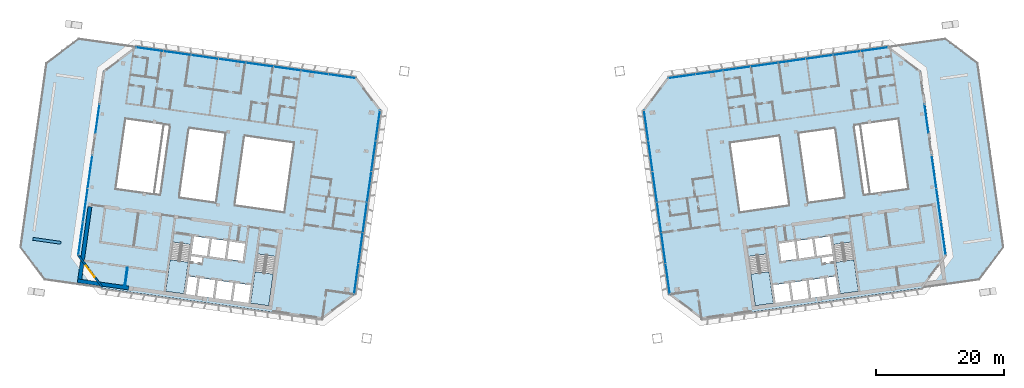
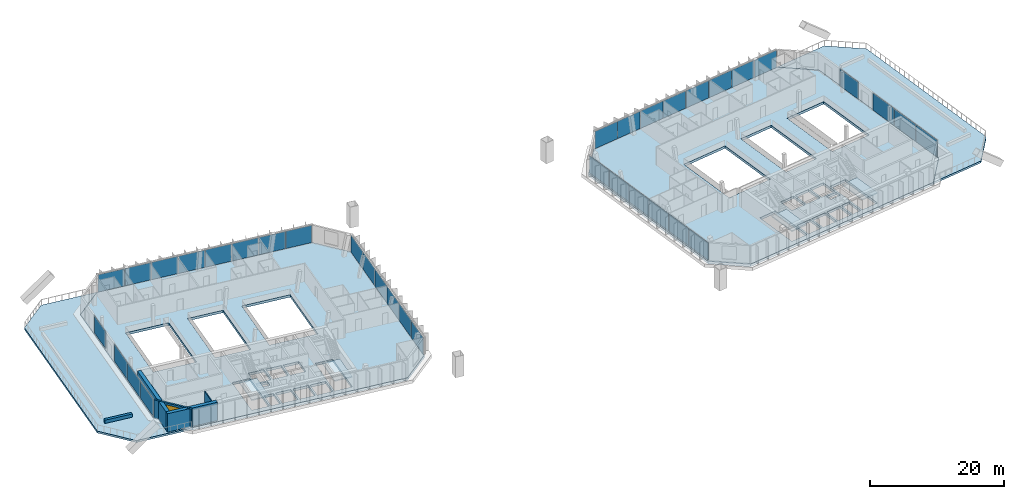
# One storey, part 9 of 19: 36 plates, 8 slabs, 5 walls, 1 window, 1 opening, 12 elements without a shape of their own.
"""IFC4 building model written with IfcOpenShell, lengths in metres."""

from ifc_helpers import new_model, si_unit, direction, frame, frame_2d, origin, origin_2d, place, context, subcontext, project, spatial, polyline, rectangle, outline, extrude, material, layer, layer_set, type_object, element, fill, aggregate, save


model = new_model("IFC4")

# Units and contexts
model_context = context("Model", 3, precision=1e-05, world=origin(), true_north=direction((0.0, 1.0)))
body_context = subcontext(model_context, "Body", "Model", "MODEL_VIEW")
ifc_project = project(units=[si_unit("LENGTHUNIT", "METRE"), si_unit("AREAUNIT", "SQUARE_METRE"), si_unit("VOLUMEUNIT", "CUBIC_METRE"), si_unit("PLANEANGLEUNIT", "RADIAN"), si_unit("MASSUNIT", "GRAM", prefix="KILO")], contexts=[model_context])

# Site, building, storey
site_placement = place(None, origin())
site = spatial("IfcSite", under=ifc_project, at=site_placement, CompositionType="ELEMENT")
building_placement = place(site_placement, origin())
building = spatial("IfcBuilding", under=site, at=building_placement, Name="Mirante Cascada Hotel Towers", CompositionType="ELEMENT")
storey_placement = place(building_placement, frame((0.0, 0.0, 231.8)))
storey = spatial("IfcBuildingStorey", under=building, at=storey_placement, Name="L55", CompositionType="ELEMENT", Elevation=231.8)

# Curtain wall, plates
ifc_material_1 = material(Name="Aluminium mullion and transom frame with clear laminated glass", Category="aluminium")
curtain_wall_type_1 = type_object("IfcCurtainWallType", Name="Ribbon curtain wall ECW1", PredefinedType="NOTDEFINED", material=ifc_material_1)
curtain_wall_1_placement = place(storey_placement, origin())
curtain_wall_1 = element("IfcCurtainWall", 1, at=curtain_wall_1_placement, inside=storey, type_object=curtain_wall_type_1, Name="Front ribbon wall T1 L55", PredefinedType="NOTDEFINED")
ifc_material_2 = material(Name="Clear laminated glass", Category="glass")
ifc_layer_1 = layer(ifc_material_2, 0.036)
ifc_layer_set_1 = layer_set([ifc_layer_1], Name="ECW1 glass panel 36")
plate_type_1 = type_object("IfcPlateType", Name="ECW1 glass panel 36", PredefinedType="CURTAIN_PANEL", material=ifc_layer_set_1)
plate_1_placement = place(storey_placement, frame((-56.355, 20.7392, 0.1), z_axis=(0.0, 0.0, 1.0), x_axis=(0.9902681, -0.1391731, 0.0)))
plate_1 = element("IfcPlate", 2, at=plate_1_placement, type_object=plate_type_1, Name="ECW1 panel 1", PredefinedType="CURTAIN_PANEL", context=body_context, shape_type="SweptSolid", body=[
    extrude(rectangle(XDim=4.2194, YDim=0.036, at=origin_2d()), origin(), (0.0, 0.0, 1.0), 3.15),
])
plate_2_placement = place(storey_placement, frame((-52.0961, 20.1407, 0.1), z_axis=(0.0, 0.0, 1.0), x_axis=(0.9902681, -0.1391731, 0.0)))
plate_2 = element("IfcPlate", 3, at=plate_2_placement, type_object=plate_type_1, Name="ECW1 panel 2", PredefinedType="CURTAIN_PANEL", context=body_context, shape_type="SweptSolid", body=[
    extrude(rectangle(XDim=4.2519, YDim=0.036, at=origin_2d()), origin(), (0.0, 0.0, 1.0), 3.15),
])
plate_3_placement = place(storey_placement, frame((-47.8212, 19.5399, 0.1), z_axis=(0.0, 0.0, 1.0), x_axis=(0.9902681, -0.1391731, 0.0)))
plate_3 = element("IfcPlate", 4, at=plate_3_placement, type_object=plate_type_1, Name="ECW1 panel 3", PredefinedType="CURTAIN_PANEL", context=body_context, shape_type="SweptSolid", body=[
    extrude(rectangle(XDim=4.2519, YDim=0.036, at=origin_2d()), origin(), (0.0, 0.0, 1.0), 3.15),
])
plate_4_placement = place(storey_placement, frame((-43.5463, 18.9391, 0.1), z_axis=(0.0, 0.0, 1.0), x_axis=(0.9902681, -0.1391731, 0.0)))
plate_4 = element("IfcPlate", 5, at=plate_4_placement, type_object=plate_type_1, Name="ECW1 panel 4", PredefinedType="CURTAIN_PANEL", context=body_context, shape_type="SweptSolid", body=[
    extrude(rectangle(XDim=4.2519, YDim=0.036, at=origin_2d()), origin(), (0.0, 0.0, 1.0), 3.15),
])
plate_5_placement = place(storey_placement, frame((-39.2714, 18.3383, 0.1), z_axis=(0.0, 0.0, 1.0), x_axis=(0.9902681, -0.1391731, 0.0)))
plate_5 = element("IfcPlate", 6, at=plate_5_placement, type_object=plate_type_1, Name="ECW1 panel 5", PredefinedType="CURTAIN_PANEL", context=body_context, shape_type="SweptSolid", body=[
    extrude(rectangle(XDim=4.2519, YDim=0.036, at=origin_2d()), origin(), (0.0, 0.0, 1.0), 3.15),
])
plate_6_placement = place(storey_placement, frame((-34.9965, 17.7375, 0.1), z_axis=(0.0, 0.0, 1.0), x_axis=(0.9902681, -0.1391731, 0.0)))
plate_6 = element("IfcPlate", 7, at=plate_6_placement, type_object=plate_type_1, Name="ECW1 panel 6", PredefinedType="CURTAIN_PANEL", context=body_context, shape_type="SweptSolid", body=[
    extrude(rectangle(XDim=4.2519, YDim=0.036, at=origin_2d()), origin(), (0.0, 0.0, 1.0), 3.15),
])
plate_7_placement = place(storey_placement, frame((-30.7216, 17.1367, 0.1), z_axis=(0.0, 0.0, 1.0), x_axis=(0.9902681, -0.1391731, 0.0)))
plate_7 = element("IfcPlate", 8, at=plate_7_placement, type_object=plate_type_1, Name="ECW1 panel 7", PredefinedType="CURTAIN_PANEL", context=body_context, shape_type="SweptSolid", body=[
    extrude(rectangle(XDim=4.2519, YDim=0.036, at=origin_2d()), origin(), (0.0, 0.0, 1.0), 3.15),
])
plate_8_placement = place(storey_placement, frame((-26.4627, 16.5381, 0.1), z_axis=(0.0, 0.0, 1.0), x_axis=(0.9902681, -0.1391731, 0.0)))
plate_8 = element("IfcPlate", 9, at=plate_8_placement, type_object=plate_type_1, Name="ECW1 panel 8", PredefinedType="CURTAIN_PANEL", context=body_context, shape_type="SweptSolid", body=[
    extrude(rectangle(XDim=4.2194, YDim=0.036, at=origin_2d()), origin(), (0.0, 0.0, 1.0), 3.15),
])
aggregate(curtain_wall_1, [plate_1, plate_2, plate_3, plate_4, plate_5, plate_6, plate_7, plate_8])

curtain_wall_2_placement = place(storey_placement, origin())
curtain_wall_2 = element("IfcCurtainWall", 10, at=curtain_wall_2_placement, inside=storey, type_object=curtain_wall_type_1, Name="Front ribbon wall T2 L55", PredefinedType="NOTDEFINED")
plate_9_placement = place(storey_placement, frame((56.355, 20.7392, 0.1), z_axis=(0.0, 0.0, 1.0), x_axis=(-0.9902681, -0.1391731, 0.0)))
plate_9 = element("IfcPlate", 11, at=plate_9_placement, type_object=plate_type_1, Name="ECW1 panel 1", PredefinedType="CURTAIN_PANEL", context=body_context, shape_type="SweptSolid", body=[
    extrude(rectangle(XDim=4.2194, YDim=0.036, at=origin_2d()), origin(), (0.0, 0.0, 1.0), 3.15),
])
plate_10_placement = place(storey_placement, frame((52.0961, 20.1407, 0.1), z_axis=(0.0, 0.0, 1.0), x_axis=(-0.9902681, -0.1391731, 0.0)))
plate_10 = element("IfcPlate", 12, at=plate_10_placement, type_object=plate_type_1, Name="ECW1 panel 2", PredefinedType="CURTAIN_PANEL", context=body_context, shape_type="SweptSolid", body=[
    extrude(rectangle(XDim=4.2519, YDim=0.036, at=origin_2d()), origin(), (0.0, 0.0, 1.0), 3.15),
])
plate_11_placement = place(storey_placement, frame((47.8212, 19.5399, 0.1), z_axis=(0.0, 0.0, 1.0), x_axis=(-0.9902681, -0.1391731, 0.0)))
plate_11 = element("IfcPlate", 13, at=plate_11_placement, type_object=plate_type_1, Name="ECW1 panel 3", PredefinedType="CURTAIN_PANEL", context=body_context, shape_type="SweptSolid", body=[
    extrude(rectangle(XDim=4.2519, YDim=0.036, at=origin_2d()), origin(), (0.0, 0.0, 1.0), 3.15),
])
plate_12_placement = place(storey_placement, frame((43.5463, 18.9391, 0.1), z_axis=(0.0, 0.0, 1.0), x_axis=(-0.9902681, -0.1391731, 0.0)))
plate_12 = element("IfcPlate", 14, at=plate_12_placement, type_object=plate_type_1, Name="ECW1 panel 4", PredefinedType="CURTAIN_PANEL", context=body_context, shape_type="SweptSolid", body=[
    extrude(rectangle(XDim=4.2519, YDim=0.036, at=origin_2d()), origin(), (0.0, 0.0, 1.0), 3.15),
])
plate_13_placement = place(storey_placement, frame((39.2714, 18.3383, 0.1), z_axis=(0.0, 0.0, 1.0), x_axis=(-0.9902681, -0.1391731, 0.0)))
plate_13 = element("IfcPlate", 15, at=plate_13_placement, type_object=plate_type_1, Name="ECW1 panel 5", PredefinedType="CURTAIN_PANEL", context=body_context, shape_type="SweptSolid", body=[
    extrude(rectangle(XDim=4.2519, YDim=0.036, at=origin_2d()), origin(), (0.0, 0.0, 1.0), 3.15),
])
plate_14_placement = place(storey_placement, frame((34.9965, 17.7375, 0.1), z_axis=(0.0, 0.0, 1.0), x_axis=(-0.9902681, -0.1391731, 0.0)))
plate_14 = element("IfcPlate", 16, at=plate_14_placement, type_object=plate_type_1, Name="ECW1 panel 6", PredefinedType="CURTAIN_PANEL", context=body_context, shape_type="SweptSolid", body=[
    extrude(rectangle(XDim=4.2519, YDim=0.036, at=origin_2d()), origin(), (0.0, 0.0, 1.0), 3.15),
])
plate_15_placement = place(storey_placement, frame((30.7216, 17.1367, 0.1), z_axis=(0.0, 0.0, 1.0), x_axis=(-0.9902681, -0.1391731, 0.0)))
plate_15 = element("IfcPlate", 17, at=plate_15_placement, type_object=plate_type_1, Name="ECW1 panel 7", PredefinedType="CURTAIN_PANEL", context=body_context, shape_type="SweptSolid", body=[
    extrude(rectangle(XDim=4.2519, YDim=0.036, at=origin_2d()), origin(), (0.0, 0.0, 1.0), 3.15),
])
plate_16_placement = place(storey_placement, frame((26.4627, 16.5381, 0.1), z_axis=(0.0, 0.0, 1.0), x_axis=(-0.9902681, -0.1391731, 0.0)))
plate_16 = element("IfcPlate", 18, at=plate_16_placement, type_object=plate_type_1, Name="ECW1 panel 8", PredefinedType="CURTAIN_PANEL", context=body_context, shape_type="SweptSolid", body=[
    extrude(rectangle(XDim=4.2194, YDim=0.036, at=origin_2d()), origin(), (0.0, 0.0, 1.0), 3.15),
])
aggregate(curtain_wall_2, [plate_9, plate_10, plate_11, plate_12, plate_13, plate_14, plate_15, plate_16])

ifc_material_3 = material(Name="Aluminium mullion and transom frame with clear laminated glass", Category="aluminium")
curtain_wall_type_2 = type_object("IfcCurtainWallType", Name="End ribbon curtain wall ECW2", PredefinedType="NOTDEFINED", material=ifc_material_3)
curtain_wall_3_placement = place(storey_placement, origin())
curtain_wall_3 = element("IfcCurtainWall", 19, at=curtain_wall_3_placement, inside=storey, type_object=curtain_wall_type_2, Name="Inner end wall T1 L55", PredefinedType="NOTDEFINED")
ifc_material_4 = material(Name="Clear laminated glass", Category="glass")
ifc_layer_2 = layer(ifc_material_4, 0.034)
ifc_layer_set_2 = layer_set([ifc_layer_2], Name="ECW2 glass panel 34")
plate_type_2 = type_object("IfcPlateType", Name="ECW2 glass panel 34", PredefinedType="CURTAIN_PANEL", material=ifc_layer_set_2)
plate_17_placement = place(storey_placement, frame((-20.8912, 8.8532, 0.1), z_axis=(0.0, 0.0, 1.0), x_axis=(-0.1391731, -0.9902681, 0.0)))
plate_17 = element("IfcPlate", 20, at=plate_17_placement, type_object=plate_type_2, Name="ECW2 panel 1", PredefinedType="CURTAIN_PANEL", context=body_context, shape_type="SweptSolid", body=[
    extrude(rectangle(XDim=4.7151, YDim=0.034, at=origin_2d()), origin(), (0.0, 0.0, 1.0), 3.15),
])
plate_18_placement = place(storey_placement, frame((-21.5587, 4.1035, 0.1), z_axis=(0.0, 0.0, 1.0), x_axis=(-0.1391731, -0.9902681, 0.0)))
plate_18 = element("IfcPlate", 21, at=plate_18_placement, type_object=plate_type_2, Name="ECW2 panel 2", PredefinedType="CURTAIN_PANEL", context=body_context, shape_type="SweptSolid", body=[
    extrude(rectangle(XDim=4.7476, YDim=0.034, at=origin_2d()), origin(), (0.0, 0.0, 1.0), 3.15),
])
plate_19_placement = place(storey_placement, frame((-22.2285, -0.6623, 0.1), z_axis=(0.0, 0.0, 1.0), x_axis=(-0.1391731, -0.9902681, 0.0)))
plate_19 = element("IfcPlate", 22, at=plate_19_placement, type_object=plate_type_2, Name="ECW2 panel 3", PredefinedType="CURTAIN_PANEL", context=body_context, shape_type="SweptSolid", body=[
    extrude(rectangle(XDim=4.7476, YDim=0.034, at=origin_2d()), origin(), (0.0, 0.0, 1.0), 3.15),
])
plate_20_placement = place(storey_placement, frame((-22.8983, -5.428, 0.1), z_axis=(0.0, 0.0, 1.0), x_axis=(-0.1391731, -0.9902681, 0.0)))
plate_20 = element("IfcPlate", 23, at=plate_20_placement, type_object=plate_type_2, Name="ECW2 panel 4", PredefinedType="CURTAIN_PANEL", context=body_context, shape_type="SweptSolid", body=[
    extrude(rectangle(XDim=4.7476, YDim=0.034, at=origin_2d()), origin(), (0.0, 0.0, 1.0), 3.15),
])
plate_21_placement = place(storey_placement, frame((-23.5681, -10.1938, 0.1), z_axis=(0.0, 0.0, 1.0), x_axis=(-0.1391731, -0.9902681, 0.0)))
plate_21 = element("IfcPlate", 24, at=plate_21_placement, type_object=plate_type_2, Name="ECW2 panel 5", PredefinedType="CURTAIN_PANEL", context=body_context, shape_type="SweptSolid", body=[
    extrude(rectangle(XDim=4.7476, YDim=0.034, at=origin_2d()), origin(), (0.0, 0.0, 1.0), 3.15),
])
plate_22_placement = place(storey_placement, frame((-24.2356, -14.9435, 0.1), z_axis=(0.0, 0.0, 1.0), x_axis=(-0.1391731, -0.9902681, 0.0)))
plate_22 = element("IfcPlate", 25, at=plate_22_placement, type_object=plate_type_2, Name="ECW2 panel 6", PredefinedType="CURTAIN_PANEL", context=body_context, shape_type="SweptSolid", body=[
    extrude(rectangle(XDim=4.7151, YDim=0.034, at=origin_2d()), origin(), (0.0, 0.0, 1.0), 3.15),
])
aggregate(curtain_wall_3, [plate_17, plate_18, plate_19, plate_20, plate_21, plate_22])

curtain_wall_4_placement = place(storey_placement, origin())
curtain_wall_4 = element("IfcCurtainWall", 26, at=curtain_wall_4_placement, inside=storey, type_object=curtain_wall_type_2, Name="Inner end wall T2 L55", PredefinedType="NOTDEFINED")
plate_23_placement = place(storey_placement, frame((20.8912, 8.8532, 0.1), z_axis=(0.0, 0.0, 1.0), x_axis=(0.1391731, -0.9902681, 0.0)))
plate_23 = element("IfcPlate", 27, at=plate_23_placement, type_object=plate_type_2, Name="ECW2 panel 1", PredefinedType="CURTAIN_PANEL", context=body_context, shape_type="SweptSolid", body=[
    extrude(rectangle(XDim=4.7151, YDim=0.034, at=origin_2d()), origin(), (0.0, 0.0, 1.0), 3.15),
])
plate_24_placement = place(storey_placement, frame((21.5587, 4.1035, 0.1), z_axis=(0.0, 0.0, 1.0), x_axis=(0.1391731, -0.9902681, 0.0)))
plate_24 = element("IfcPlate", 28, at=plate_24_placement, type_object=plate_type_2, Name="ECW2 panel 2", PredefinedType="CURTAIN_PANEL", context=body_context, shape_type="SweptSolid", body=[
    extrude(rectangle(XDim=4.7476, YDim=0.034, at=origin_2d()), origin(), (0.0, 0.0, 1.0), 3.15),
])
plate_25_placement = place(storey_placement, frame((22.2285, -0.6623, 0.1), z_axis=(0.0, 0.0, 1.0), x_axis=(0.1391731, -0.9902681, 0.0)))
plate_25 = element("IfcPlate", 29, at=plate_25_placement, type_object=plate_type_2, Name="ECW2 panel 3", PredefinedType="CURTAIN_PANEL", context=body_context, shape_type="SweptSolid", body=[
    extrude(rectangle(XDim=4.7476, YDim=0.034, at=origin_2d()), origin(), (0.0, 0.0, 1.0), 3.15),
])
plate_26_placement = place(storey_placement, frame((22.8983, -5.428, 0.1), z_axis=(0.0, 0.0, 1.0), x_axis=(0.1391731, -0.9902681, 0.0)))
plate_26 = element("IfcPlate", 30, at=plate_26_placement, type_object=plate_type_2, Name="ECW2 panel 4", PredefinedType="CURTAIN_PANEL", context=body_context, shape_type="SweptSolid", body=[
    extrude(rectangle(XDim=4.7476, YDim=0.034, at=origin_2d()), origin(), (0.0, 0.0, 1.0), 3.15),
])
plate_27_placement = place(storey_placement, frame((23.5681, -10.1938, 0.1), z_axis=(0.0, 0.0, 1.0), x_axis=(0.1391731, -0.9902681, 0.0)))
plate_27 = element("IfcPlate", 31, at=plate_27_placement, type_object=plate_type_2, Name="ECW2 panel 5", PredefinedType="CURTAIN_PANEL", context=body_context, shape_type="SweptSolid", body=[
    extrude(rectangle(XDim=4.7476, YDim=0.034, at=origin_2d()), origin(), (0.0, 0.0, 1.0), 3.15),
])
plate_28_placement = place(storey_placement, frame((24.2356, -14.9435, 0.1), z_axis=(0.0, 0.0, 1.0), x_axis=(0.1391731, -0.9902681, 0.0)))
plate_28 = element("IfcPlate", 32, at=plate_28_placement, type_object=plate_type_2, Name="ECW2 panel 6", PredefinedType="CURTAIN_PANEL", context=body_context, shape_type="SweptSolid", body=[
    extrude(rectangle(XDim=4.7151, YDim=0.034, at=origin_2d()), origin(), (0.0, 0.0, 1.0), 3.15),
])
aggregate(curtain_wall_4, [plate_23, plate_24, plate_25, plate_26, plate_27, plate_28])

ifc_material_5 = material(Name="Aluminium mullion and transom frame with clear laminated glass", Category="aluminium")
curtain_wall_type_3 = type_object("IfcCurtainWallType", Name="Sky garden curtain wall ECW4", PredefinedType="NOTDEFINED", material=ifc_material_5)
curtain_wall_5_placement = place(storey_placement, origin())
curtain_wall_5 = element("IfcCurtainWall", 33, at=curtain_wall_5_placement, inside=storey, type_object=curtain_wall_type_3, Name="Sky garden wall T1 L55 run 1", PredefinedType="NOTDEFINED")
ifc_material_6 = material(Name="Clear laminated glass", Category="glass")
ifc_layer_3 = layer(ifc_material_6, 0.038)
ifc_layer_set_3 = layer_set([ifc_layer_3], Name="ECW4 glass panel 38")
plate_type_3 = type_object("IfcPlateType", Name="ECW4 glass panel 38", PredefinedType="CURTAIN_PANEL", material=ifc_layer_set_3)
plate_29_placement = place(storey_placement, frame((-67.1428, -8.692, 0.11), z_axis=(0.0, 0.0, 1.0), x_axis=(0.1391731, 0.9902681, 0.0)))
plate_29 = element("IfcPlate", 34, at=plate_29_placement, type_object=plate_type_3, Name="ECW4 panel 1", PredefinedType="CURTAIN_PANEL", context=body_context, shape_type="SweptSolid", body=[
    extrude(rectangle(XDim=5.1335, YDim=0.038, at=origin_2d()), origin(), (0.0, 0.0, 1.0), 3.13),
])
plate_30_placement = place(storey_placement, frame((-66.4153, -3.5156, 0.11), z_axis=(0.0, 0.0, 1.0), x_axis=(0.1391731, 0.9902681, 0.0)))
plate_30 = element("IfcPlate", 35, at=plate_30_placement, type_object=plate_type_3, Name="ECW4 panel 2", PredefinedType="CURTAIN_PANEL", context=body_context, shape_type="SweptSolid", body=[
    extrude(rectangle(XDim=5.171, YDim=0.038, at=origin_2d()), origin(), (0.0, 0.0, 1.0), 3.13),
])
plate_31_placement = place(storey_placement, frame((-65.6878, 1.6607, 0.11), z_axis=(0.0, 0.0, 1.0), x_axis=(0.1391731, 0.9902681, 0.0)))
plate_31 = element("IfcPlate", 36, at=plate_31_placement, type_object=plate_type_3, Name="ECW4 panel 3", PredefinedType="CURTAIN_PANEL", context=body_context, shape_type="SweptSolid", body=[
    extrude(rectangle(XDim=5.1335, YDim=0.038, at=origin_2d()), origin(), (0.0, 0.0, 1.0), 3.13),
])
aggregate(curtain_wall_5, [plate_29, plate_30, plate_31])

# Curtain wall, plate
curtain_wall_6_placement = place(storey_placement, origin())
curtain_wall_6 = element("IfcCurtainWall", 37, at=curtain_wall_6_placement, inside=storey, type_object=curtain_wall_type_3, Name="Sky garden wall T1 L55 run 3", PredefinedType="NOTDEFINED")
plate_32_placement = place(storey_placement, frame((-64.5269, 9.9212, 0.11), z_axis=(0.0, 0.0, 1.0), x_axis=(0.1391731, 0.9902681, 0.0)))
plate_32 = element("IfcPlate", 38, at=plate_32_placement, type_object=plate_type_3, Name="ECW4 panel 1", PredefinedType="CURTAIN_PANEL", context=body_context, shape_type="SweptSolid", body=[
    extrude(rectangle(XDim=4.45, YDim=0.038, at=origin_2d()), origin(), (0.0, 0.0, 1.0), 3.13),
])
aggregate(curtain_wall_6, [plate_32])

# Curtain wall, plates
curtain_wall_7_placement = place(storey_placement, origin())
curtain_wall_7 = element("IfcCurtainWall", 39, at=curtain_wall_7_placement, inside=storey, type_object=curtain_wall_type_3, Name="Sky garden wall T2 L55 run 1", PredefinedType="NOTDEFINED")
plate_33_placement = place(storey_placement, frame((67.1428, -8.692, 0.11), z_axis=(0.0, 0.0, 1.0), x_axis=(-0.1391731, 0.9902681, 0.0)))
plate_33 = element("IfcPlate", 40, at=plate_33_placement, type_object=plate_type_3, Name="ECW4 panel 1", PredefinedType="CURTAIN_PANEL", context=body_context, shape_type="SweptSolid", body=[
    extrude(rectangle(XDim=5.1335, YDim=0.038, at=origin_2d()), origin(), (0.0, 0.0, 1.0), 3.13),
])
plate_34_placement = place(storey_placement, frame((66.4153, -3.5156, 0.11), z_axis=(0.0, 0.0, 1.0), x_axis=(-0.1391731, 0.9902681, 0.0)))
plate_34 = element("IfcPlate", 41, at=plate_34_placement, type_object=plate_type_3, Name="ECW4 panel 2", PredefinedType="CURTAIN_PANEL", context=body_context, shape_type="SweptSolid", body=[
    extrude(rectangle(XDim=5.171, YDim=0.038, at=origin_2d()), origin(), (0.0, 0.0, 1.0), 3.13),
])
plate_35_placement = place(storey_placement, frame((65.6878, 1.6607, 0.11), z_axis=(0.0, 0.0, 1.0), x_axis=(-0.1391731, 0.9902681, 0.0)))
plate_35 = element("IfcPlate", 42, at=plate_35_placement, type_object=plate_type_3, Name="ECW4 panel 3", PredefinedType="CURTAIN_PANEL", context=body_context, shape_type="SweptSolid", body=[
    extrude(rectangle(XDim=5.1335, YDim=0.038, at=origin_2d()), origin(), (0.0, 0.0, 1.0), 3.13),
])
aggregate(curtain_wall_7, [plate_33, plate_34, plate_35])

# Curtain wall, plate
curtain_wall_8_placement = place(storey_placement, origin())
curtain_wall_8 = element("IfcCurtainWall", 43, at=curtain_wall_8_placement, inside=storey, type_object=curtain_wall_type_3, Name="Sky garden wall T2 L55 run 3", PredefinedType="NOTDEFINED")
plate_36_placement = place(storey_placement, frame((64.5269, 9.9212, 0.11), z_axis=(0.0, 0.0, 1.0), x_axis=(-0.1391731, 0.9902681, 0.0)))
plate_36 = element("IfcPlate", 44, at=plate_36_placement, type_object=plate_type_3, Name="ECW4 panel 1", PredefinedType="CURTAIN_PANEL", context=body_context, shape_type="SweptSolid", body=[
    extrude(rectangle(XDim=4.45, YDim=0.038, at=origin_2d()), origin(), (0.0, 0.0, 1.0), 3.13),
])
aggregate(curtain_wall_8, [plate_36])

# Stair, slab
ifc_material_7 = material(Name="Concrete C35/45", Category="concrete")
stair_type = type_object("IfcStairType", Name="Exit stair half-turn 1350 concrete C35/45", PredefinedType="HALF_TURN_STAIR", material=ifc_material_7)
stair_1_placement = place(storey_placement, origin())
stair_1 = element("IfcStair", 45, at=stair_1_placement, inside=storey, type_object=stair_type, Name="L55 Exit stair A", PredefinedType="HALF_TURN_STAIR")
ifc_material_8 = material(Name="Concrete C35/45", Category="concrete")
ifc_layer_4 = layer(ifc_material_8, 0.2)
ifc_layer_set_4 = layer_set([ifc_layer_4], Name="Exit stair landing 200 concrete C35/45")
slab_type_1 = type_object("IfcSlabType", Name="Exit stair landing 200 concrete C35/45", PredefinedType="LANDING", material=ifc_layer_set_4)
slab_1_placement = place(storey_placement, frame((0.0, 0.0, 1.7)))
slab_1 = element("IfcSlab", 46, at=slab_1_placement, type_object=slab_type_1, Name="ST1-A landing 1", PredefinedType="LANDING", context=body_context, shape_type="SweptSolid", body=[
    extrude(outline(polyline([(-39.9987, -13.8659), (-40.6887, -18.7757), (-37.8665, -19.1723), (-37.1765, -14.2626), (-39.9987, -13.8659)])), origin(), (0.0, 0.0, 1.0), 0.2),
])
aggregate(stair_1, [slab_1])

stair_2_placement = place(storey_placement, origin())
stair_2 = element("IfcStair", 47, at=stair_2_placement, inside=storey, type_object=stair_type, Name="L55 Exit stair B", PredefinedType="HALF_TURN_STAIR")
slab_2_placement = place(storey_placement, frame((0.0, 0.0, 1.7)))
slab_2 = element("IfcSlab", 48, at=slab_2_placement, type_object=slab_type_1, Name="ST1-B landing 1", PredefinedType="LANDING", context=body_context, shape_type="SweptSolid", body=[
    extrude(outline(polyline([(-53.2188, -12.008), (-53.9088, -16.9177), (-51.0866, -17.3144), (-50.3965, -12.4046), (-53.2188, -12.008)])), origin(), (0.0, 0.0, 1.0), 0.2),
])
aggregate(stair_2, [slab_2])

stair_3_placement = place(storey_placement, origin())
stair_3 = element("IfcStair", 49, at=stair_3_placement, inside=storey, type_object=stair_type, Name="L55 Exit stair A", PredefinedType="HALF_TURN_STAIR")
slab_3_placement = place(storey_placement, frame((0.0, 0.0, 1.7)))
slab_3 = element("IfcSlab", 50, at=slab_3_placement, type_object=slab_type_1, Name="ST2-A landing 1", PredefinedType="LANDING", context=body_context, shape_type="SweptSolid", body=[
    extrude(outline(polyline([(37.1765, -14.2626), (37.8665, -19.1723), (40.6887, -18.7757), (39.9987, -13.8659), (37.1765, -14.2626)])), origin(), (0.0, 0.0, 1.0), 0.2),
])
aggregate(stair_3, [slab_3])

stair_4_placement = place(storey_placement, origin())
stair_4 = element("IfcStair", 51, at=stair_4_placement, inside=storey, type_object=stair_type, Name="L55 Exit stair B", PredefinedType="HALF_TURN_STAIR")
slab_4_placement = place(storey_placement, frame((0.0, 0.0, 1.7)))
slab_4 = element("IfcSlab", 52, at=slab_4_placement, type_object=slab_type_1, Name="ST2-B landing 1", PredefinedType="LANDING", context=body_context, shape_type="SweptSolid", body=[
    extrude(outline(polyline([(50.3965, -12.4046), (51.0866, -17.3144), (53.9088, -16.9177), (53.2188, -12.008), (50.3965, -12.4046)])), origin(), (0.0, 0.0, 1.0), 0.2),
])
aggregate(stair_4, [slab_4])

# Slabs
ifc_material_9 = material(Name="Concrete C40/50", Category="concrete")
ifc_layer_5 = layer(ifc_material_9, 0.45)
ifc_layer_set_5 = layer_set([ifc_layer_5], Name="Post-tensioned flat plate 450 Concrete C40/50")
slab_type_2 = type_object("IfcSlabType", Name="Post-tensioned flat plate 450 Concrete C40/50", PredefinedType="FLOOR", material=ifc_layer_set_5)
slab_5_placement = place(storey_placement, frame((0.0, 0.0, -0.45)))
element("IfcSlab", 53, at=slab_5_placement, inside=storey, type_object=slab_type_2, Name="Floor T1 L55", PredefinedType="FLOOR", context=body_context, shape_type="SweptSolid", body=[
    extrude(outline(polyline([(-24.4329, -17.4249), (-20.3969, 11.2929), (-24.2268, 16.3754), (-58.5492, 21.199), (-58.5492, 21.199), (-58.5492, 21.199), (-58.5492, 21.199), (-58.5492, 21.199), (-58.5492, 21.199), (-58.5492, 21.199), (-58.5492, 21.199), (-58.5492, 21.199), (-63.6316, 17.3691), (-67.6677, -11.3487), (-63.8377, -16.4311), (-63.8377, -16.4311), (-63.8377, -16.4311), (-63.8377, -16.4311), (-63.8377, -16.4311), (-63.8377, -16.4311), (-63.8377, -16.4311), (-63.8377, -16.4311), (-63.8377, -16.4311), (-29.5154, -21.2548), (-24.4329, -17.4249)]), holes=[polyline([(-40.5961, -15.9612), (-40.9858, -18.7339), (-43.4615, -18.386), (-43.0718, -15.6132), (-40.5961, -15.9612)]), polyline([(-43.3689, -15.5715), (-43.7586, -18.3442), (-46.2342, -17.9963), (-45.8446, -15.2236), (-43.3689, -15.5715)]), polyline([(-46.1416, -15.1818), (-46.5313, -17.9546), (-49.007, -17.6066), (-48.6173, -14.8339), (-46.1416, -15.1818)]), polyline([(-36.7887, -11.5037), (-37.8665, -19.1723), (-40.6887, -18.7757), (-39.611, -11.107), (-36.7887, -11.5037)]), polyline([(-43.9775, -9.124), (-41.5018, -9.472), (-41.8915, -12.2447), (-44.3672, -11.8968), (-43.9775, -9.124)]), polyline([(-44.2746, -9.0823), (-44.6643, -11.855), (-47.1399, -11.5071), (-46.7503, -8.7344), (-44.2746, -9.0823)]), polyline([(-50.3998, -14.5834), (-48.9144, -14.7921), (-49.3041, -17.5649), (-50.7895, -17.3561), (-50.3998, -14.5834)]), polyline([(-50.0088, -9.6457), (-51.0866, -17.3144), (-53.9088, -16.9177), (-52.8311, -9.2491), (-50.0088, -9.6457)]), polyline([(-48.1472, -11.6685), (-48.2829, -12.634), (-50.0901, -12.38), (-49.9544, -11.4145), (-48.1472, -11.6685)]), polyline([(-49.523, -8.3447), (-47.0473, -8.6926), (-47.437, -11.4654), (-49.9127, -11.1174), (-49.523, -8.3447)]), polyline([(-53.2406, 8.9409), (-54.7715, -1.952), (-54.7715, -1.952), (-61.6666, -0.983), (-60.1357, 9.91), (-53.2406, 8.9409)]), polyline([(-44.5937, 7.7257), (-46.1246, -3.1673), (-51.7987, -2.3698), (-51.7987, -2.3698), (-50.2678, 8.5231), (-44.5937, 7.7257)]), polyline([(-33.8946, 6.222), (-35.4255, -4.6709), (-43.1518, -3.5851), (-41.6209, 7.3079), (-33.8946, 6.222)])]), origin(), (0.0, 0.0, 1.0), 0.45),
])
slab_6_placement = place(storey_placement, frame((0.0, 0.0, -0.45)))
element("IfcSlab", 54, at=slab_6_placement, inside=storey, type_object=slab_type_2, Name="Floor T2 L55", PredefinedType="FLOOR", context=body_context, shape_type="SweptSolid", body=[
    extrude(outline(polyline([(24.4329, -17.4249), (20.3969, 11.2929), (24.2268, 16.3754), (58.5492, 21.199), (58.5492, 21.199), (58.5492, 21.199), (58.5492, 21.199), (58.5492, 21.199), (58.5492, 21.199), (58.5492, 21.199), (58.5492, 21.199), (58.5492, 21.199), (63.6316, 17.3691), (67.6677, -11.3487), (63.8377, -16.4311), (63.8377, -16.4311), (63.8377, -16.4311), (63.8377, -16.4311), (63.8377, -16.4311), (63.8377, -16.4311), (63.8377, -16.4311), (63.8377, -16.4311), (63.8377, -16.4311), (29.5154, -21.2548), (24.4329, -17.4249)]), holes=[polyline([(40.5961, -15.9612), (40.9858, -18.7339), (43.4615, -18.386), (43.0718, -15.6132), (40.5961, -15.9612)]), polyline([(43.3689, -15.5715), (43.7586, -18.3442), (46.2342, -17.9963), (45.8446, -15.2236), (43.3689, -15.5715)]), polyline([(46.1416, -15.1818), (46.5313, -17.9546), (49.007, -17.6066), (48.6173, -14.8339), (46.1416, -15.1818)]), polyline([(37.8665, -19.1723), (40.6887, -18.7757), (39.611, -11.107), (36.7887, -11.5037), (37.8665, -19.1723)]), polyline([(43.9775, -9.124), (41.5018, -9.472), (41.8915, -12.2447), (44.3672, -11.8968), (43.9775, -9.124)]), polyline([(44.2746, -9.0823), (44.6643, -11.855), (47.1399, -11.5071), (46.7503, -8.7344), (44.2746, -9.0823)]), polyline([(50.3998, -14.5834), (48.9144, -14.7921), (49.3041, -17.5649), (50.7895, -17.3561), (50.3998, -14.5834)]), polyline([(51.0866, -17.3144), (53.9088, -16.9177), (52.8311, -9.2491), (50.0088, -9.6457), (51.0866, -17.3144)]), polyline([(48.1472, -11.6685), (48.2829, -12.634), (50.0901, -12.38), (49.9544, -11.4145), (48.1472, -11.6685)]), polyline([(49.523, -8.3447), (47.0473, -8.6926), (47.437, -11.4654), (49.9127, -11.1174), (49.523, -8.3447)]), polyline([(60.1357, 9.91), (61.6666, -0.983), (54.7715, -1.952), (54.7715, -1.952), (53.2406, 8.9409), (60.1357, 9.91)]), polyline([(50.2678, 8.5231), (51.7987, -2.3698), (51.7987, -2.3698), (46.1246, -3.1673), (44.5937, 7.7257), (50.2678, 8.5231)]), polyline([(41.6209, 7.3079), (43.1518, -3.5851), (35.4255, -4.6709), (33.8946, 6.222), (41.6209, 7.3079)])]), origin(), (0.0, 0.0, 1.0), 0.45),
])
ifc_material_10 = material(Name="Concrete C40/50", Category="concrete")
ifc_layer_6 = layer(ifc_material_10, 0.35)
ifc_layer_set_6 = layer_set([ifc_layer_6], Name="Terrace slab 350 Concrete C40/50")
slab_type_3 = type_object("IfcSlabType", Name="Terrace slab 350 Concrete C40/50", PredefinedType="FLOOR", material=ifc_layer_set_6)
slab_7_placement = place(storey_placement, frame((0.0, 0.0, -0.35)))
element("IfcSlab", 55, at=slab_7_placement, inside=storey, type_object=slab_type_3, Name="Terrace T1 L55", PredefinedType="FLOOR", context=body_context, shape_type="SweptSolid", body=[
    extrude(outline(polyline([(-67.4616, 22.4516), (-72.5441, 18.6217), (-76.5801, -10.0961), (-72.7501, -15.1786), (-63.8377, -16.4311), (-67.6677, -11.3487), (-63.6316, 17.3691), (-58.5492, 21.199), (-67.4616, 22.4516)])), origin(), (0.0, 0.0, 1.0), 0.35),
])
slab_8_placement = place(storey_placement, frame((0.0, 0.0, -0.35)))
element("IfcSlab", 56, at=slab_8_placement, inside=storey, type_object=slab_type_3, Name="Terrace T2 L55", PredefinedType="FLOOR", context=body_context, shape_type="SweptSolid", body=[
    extrude(outline(polyline([(67.4616, 22.4516), (72.5441, 18.6217), (76.5801, -10.0961), (72.7501, -15.1786), (63.8377, -16.4311), (67.6677, -11.3487), (63.6316, 17.3691), (58.5492, 21.199), (67.4616, 22.4516)])), origin(), (0.0, 0.0, 1.0), 0.35),
])

# Walls
ifc_material_11 = material(Name="Masonry block", Category="masonry")
ifc_layer_7 = layer(ifc_material_11, 0.15)
ifc_layer_set_7 = layer_set([ifc_layer_7], Name="Core room partition 150 block EI 30")
wall_type_1 = type_object("IfcWallType", Name="Core room partition 150 block EI 30", PredefinedType="PARTITIONING", material=ifc_layer_set_7)
wall_1_placement = place(storey_placement, frame((-60.2465, -16.027, 0.0), z_axis=(0.0, 0.0, 1.0), x_axis=(0.1391459, 0.9902719, 0.0)))
element("IfcWall", 57, at=wall_1_placement, inside=storey, type_object=wall_type_1, Name="Core wall partition T1 L55 6", PredefinedType="PARTITIONING", context=body_context, shape_type="SweptSolid", body=[
    extrude(rectangle(XDim=2.7999, YDim=0.15, at=frame_2d((1.4, 0.0))), origin(), (0.0, 0.0, 1.0), 3.35),
])
ifc_material_12 = material(Name="Precast concrete C40/50", Category="concrete")
ifc_layer_8 = layer(ifc_material_12, 0.45)
ifc_layer_set_8 = layer_set([ifc_layer_8], Name="Planter wall 450 concrete C40/50")
wall_type_2 = type_object("IfcWallType", Name="Planter wall 450 concrete C40/50", PredefinedType="PARAPET", material=ifc_layer_set_8)
wall_2_placement = place(storey_placement, frame((-70.2177, -9.3745, 0.0), z_axis=(0.0, 0.0, 1.0), x_axis=(-0.9902701, 0.1391587, 0.0)))
element("IfcWall", 58, at=wall_2_placement, inside=storey, type_object=wall_type_2, Name="PLANTER T1 L55 bed 1", PredefinedType="PARAPET", context=body_context, shape_type="SweptSolid", body=[
    extrude(rectangle(XDim=4.4, YDim=0.45, at=frame_2d((2.2, 0.0))), origin(), (0.0, 0.0, 1.0), 0.6),
])

# Wall, opening, window
ifc_material_13 = material(Name="Precast concrete C40/50", Category="concrete")
ifc_layer_9 = layer(ifc_material_13, 0.3)
ifc_layer_set_9 = layer_set([ifc_layer_9], Name="Precast concrete C40/50 cladding wall 300")
wall_type_3 = type_object("IfcWallType", Name="Precast concrete C40/50 cladding wall 300", PredefinedType="STANDARD", material=ifc_layer_set_9)
wall_3_placement = place(storey_placement, frame((-63.7926, -16.2417, 0.0), z_axis=(0.0, 0.0, 1.0), x_axis=(-0.6018245, 0.7986283, 0.0)))
wall_3 = element("IfcWall", 59, at=wall_3_placement, inside=storey, type_object=wall_type_3, Name="Corner cladding wall T1 L55 rear outer", PredefinedType="STANDARD", context=body_context, shape_type="SweptSolid", body=[
    extrude(rectangle(XDim=6.1157, YDim=0.3, at=frame_2d((3.0578, 0.0))), origin(), (0.0, 0.0, 1.0), 3.35),
])
opening_placement = place(wall_3_placement, frame((1.9428, 0.0, 0.6)))
opening = element("IfcOpeningElement", 60, at=opening_placement, cuts=wall_3, Name="Opening W1-55-03", PredefinedType="OPENING", context=body_context, shape_type="SweptSolid", body=[
    extrude(rectangle(XDim=2.2, YDim=2.4, at=frame_2d((1.1, 1.2))), frame((0.0, 0.15, 0.0), z_axis=(0.0, -1.0, 0.0), x_axis=(1.0, 0.0, 0.0)), (0.0, 0.0, 1.0), 0.3),
])
ifc_material_14 = material(Name="Aluminium frame with clear double glazing", Category="aluminium")
window_type = type_object("IfcWindowType", Name="Corner suite window 2200x2400", PartitioningType="DOUBLE_PANEL_VERTICAL", PredefinedType="WINDOW", material=ifc_material_14)
window_placement = place(opening_placement, origin())
window = element("IfcWindow", 61, at=window_placement, inside=storey, type_object=window_type, Name="Window W1-55-03", OverallHeight=2.4, OverallWidth=2.2, PartitioningType="SINGLE_PANEL", PredefinedType="WINDOW", context=body_context, shape_type="SweptSolid", body=[
    extrude(rectangle(XDim=2.2, YDim=2.4, at=frame_2d((1.1, 1.2))), frame((0.0, 0.03, 0.0), z_axis=(0.0, -1.0, 0.0), x_axis=(1.0, 0.0, 0.0)), (0.0, 0.0, 1.0), 0.06),
])
fill(opening, window)

# Walls
ifc_material_15 = material(Name="Concrete C50/60", Category="concrete")
ifc_layer_10 = layer(ifc_material_15, 0.6)
ifc_layer_set_10 = layer_set([ifc_layer_10], Name="RC core wall 600 C50/60")
wall_type_4 = type_object("IfcWallType", Name="RC core wall 600 C50/60", PredefinedType="SHEAR", material=ifc_layer_set_10)
wall_4_placement = place(storey_placement, frame((-59.6446, -16.4145, 0.0), z_axis=(0.0, 0.0, 1.0), x_axis=(-0.9902689, 0.1391671, 0.0)))
element("IfcWall", 62, at=wall_4_placement, inside=storey, type_object=wall_type_4, Name="Core wall T1:L55:1.3", PredefinedType="SHEAR", context=body_context, shape_type="SweptSolid", body=[
    extrude(rectangle(XDim=8.05, YDim=0.6, at=frame_2d((4.025, 0.0))), origin(), (0.0, 0.0, 1.0), 3.35),
])
wall_5_placement = place(storey_placement, frame((-67.2774, -15.0389, 0.0), z_axis=(0.0, 0.0, 1.0), x_axis=(0.1391663, 0.990269, 0.0)))
element("IfcWall", 63, at=wall_5_placement, inside=storey, type_object=wall_type_4, Name="Core wall T1:L55:4", PredefinedType="SHEAR", context=body_context, shape_type="SweptSolid", body=[
    extrude(rectangle(XDim=11.4, YDim=0.6, at=frame_2d((5.7, 0.0))), origin(), (0.0, 0.0, 1.0), 3.35),
])

save(model, "model.ifc")
